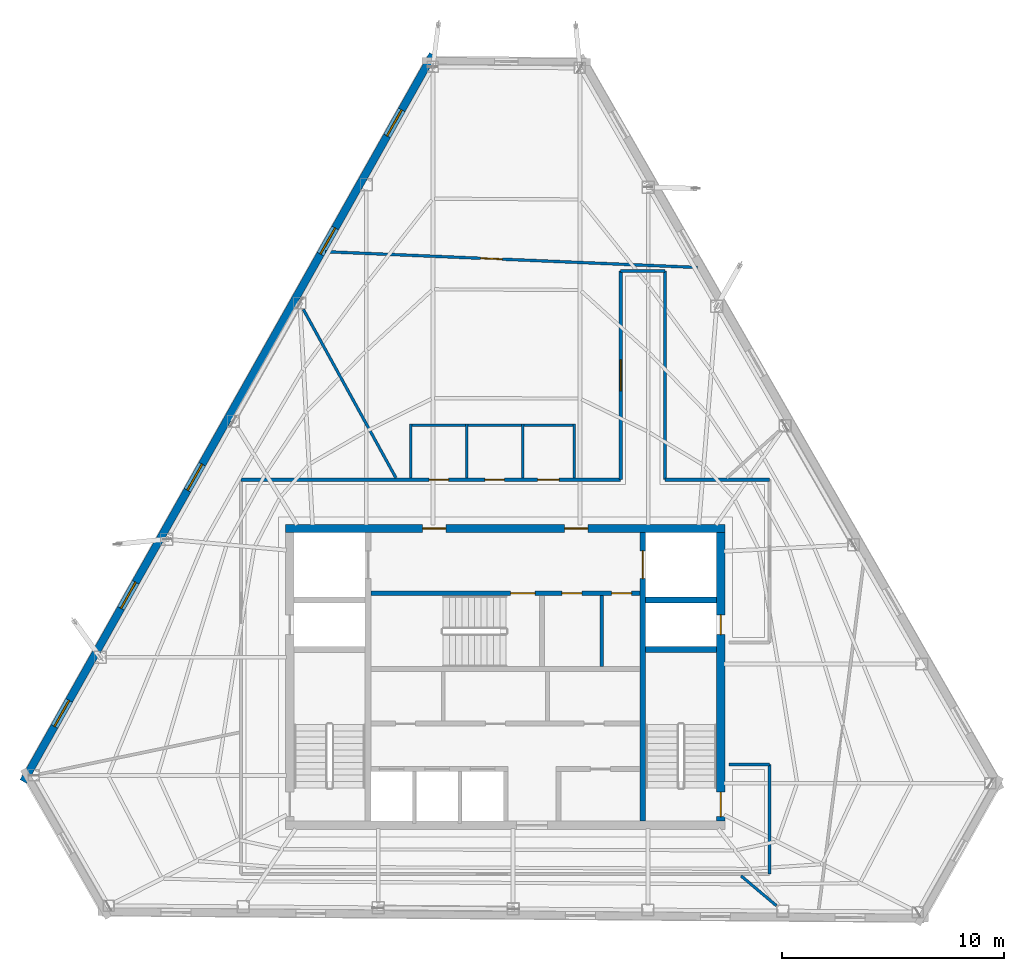
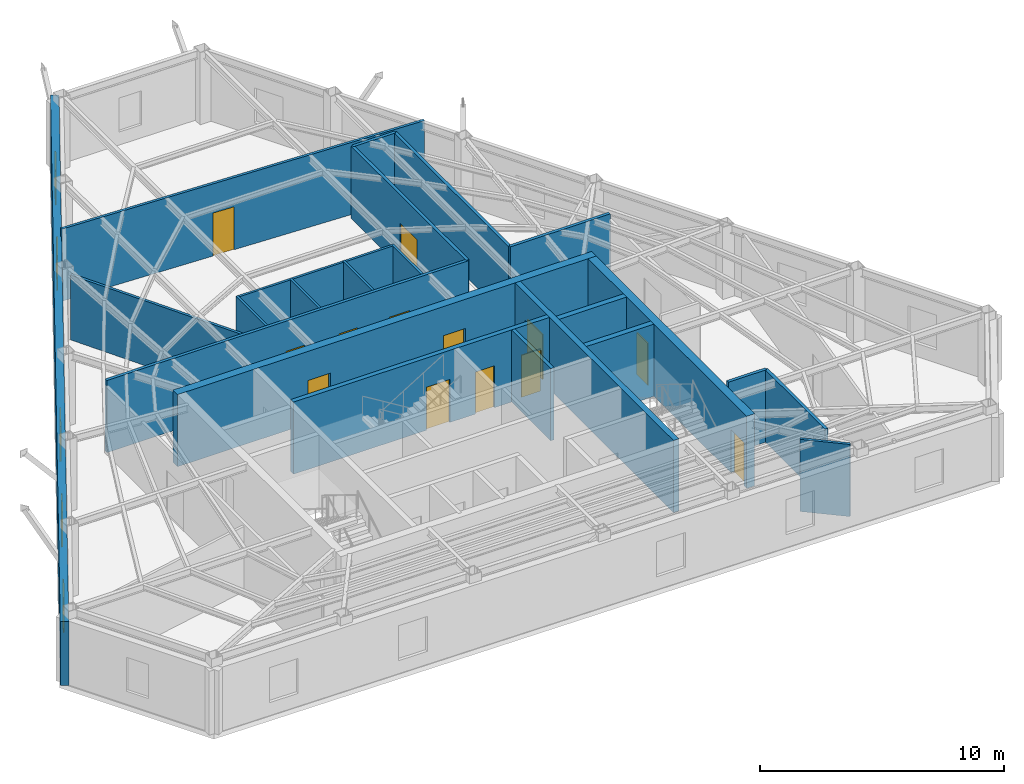
# One storey, part 8 of 10: 23 walls, 13 doors, 5 windows, 18 openings.
"""IFC4 building model written with IfcOpenShell, lengths in metres."""

from ifc_helpers import new_model, si_unit, direction, frame, frame_2d, origin, place, context, subcontext, project, spatial, rectangle, extrude, material, layer, layer_set, type_object, element, fill, save


model = new_model("IFC4")

# Units and contexts
model_context = context("Model", 3, precision=1e-05, world=origin(), true_north=direction((0.0, 1.0)))
body_context = subcontext(model_context, "Body", "Model", "MODEL_VIEW")
ifc_project = project(units=[si_unit("LENGTHUNIT", "METRE"), si_unit("AREAUNIT", "SQUARE_METRE"), si_unit("VOLUMEUNIT", "CUBIC_METRE"), si_unit("PLANEANGLEUNIT", "RADIAN"), si_unit("MASSUNIT", "GRAM", prefix="KILO")], contexts=[model_context])

# Site, building, storey
site_placement = place(None, origin())
site = spatial("IfcSite", under=ifc_project, at=site_placement, CompositionType="ELEMENT")
building_placement = place(site_placement, origin())
building = spatial("IfcBuilding", under=site, at=building_placement, Name="Kavelnor Concourse Tower", CompositionType="ELEMENT")
storey_placement = place(building_placement, frame((0.0, 0.0, 243.35009765625)))
storey = spatial("IfcBuildingStorey", under=building, at=storey_placement, Name="L61", CompositionType="ELEMENT", Elevation=243.35009765625)

# Wall, openings, doors
ifc_material_1 = material(Name="Concrete C50/60", Category="concrete")
ifc_layer_1 = layer(ifc_material_1, 0.3798828125, Name="Concrete C50/60")
ifc_layer_set_1 = layer_set([ifc_layer_1], Name="Concrete C50/60")
wall_type_1 = type_object("IfcWallType", Name="WL-CORE-Z4-380", PredefinedType="SOLIDWALL", material=ifc_layer_set_1)
wall_1_placement = place(storey_placement, frame((28.10009765625, 22.7900390625, 0.0), z_axis=(0.0, 0.0, 1.0), x_axis=(1.0, 0.0, 0.0)))
wall_1 = element("IfcWall", 1, at=wall_1_placement, inside=storey, type_object=wall_type_1, Name="L61 Central Core North Shear Wall", PredefinedType="SOLIDWALL", context=body_context, shape_type="SweptSolid", body=[
    extrude(rectangle(XDim=19.7998046875, YDim=0.3798828125, at=frame_2d((9.89990234375, 0.0))), origin(), (0.0, 0.0, 1.0), 3.60986328125),
])
opening_1_placement = place(wall_1_placement, frame((6.175048828125, 0.0, 0.0)))
opening_1 = element("IfcOpeningElement", 2, at=opening_1_placement, cuts=wall_1, Name="Opening FD-105", PredefinedType="OPENING", context=body_context, shape_type="SweptSolid", body=[
    extrude(rectangle(XDim=1.050048828125, YDim=2.14990234375, at=frame_2d((0.52490234375, 1.074951171875))), frame((0.0, 0.199951171875, 0.0), z_axis=(0.0, -1.0, 0.0), x_axis=(1.0, 0.0, 0.0)), (0.0, 0.0, 1.0), 0.39990234375),
])
opening_2_placement = place(wall_1_placement, frame((12.574951171875, 0.0, 0.0)))
opening_2 = element("IfcOpeningElement", 3, at=opening_2_placement, cuts=wall_1, Name="Opening FD-105", PredefinedType="OPENING", context=body_context, shape_type="SweptSolid", body=[
    extrude(rectangle(XDim=1.050048828125, YDim=2.14990234375, at=frame_2d((0.52490234375, 1.074951171875))), frame((0.0, 0.199951171875, 0.0), z_axis=(0.0, -1.0, 0.0), x_axis=(1.0, 0.0, 0.0)), (0.0, 0.0, 1.0), 0.39990234375),
])
ifc_material_2 = material(Name="Steel Grade 350", Category="steel")
door_type_1 = type_object("IfcDoorType", Name="DR-LOBBY-FIRE-1050", OperationType="NOTDEFINED", PredefinedType="DOOR", material=ifc_material_2)
door_1_placement = place(opening_1_placement, origin())
door_1 = element("IfcDoor", 4, at=door_1_placement, inside=storey, type_object=door_type_1, Name="L61 Emergency Lift Lobby West Door", OperationType="SINGLE_SWING_LEFT", OverallHeight=2.14990234375, OverallWidth=1.050048828125, PredefinedType="DOOR", context=body_context, shape_type="SweptSolid", body=[
    extrude(rectangle(XDim=1.050048828125, YDim=2.14990234375, at=frame_2d((0.52490234375, 1.074951171875))), frame((0.0, 0.02490234375, 0.0), z_axis=(0.0, -1.0, 0.0), x_axis=(1.0, 0.0, 0.0)), (0.0, 0.0, 1.0), 0.050048828125),
])
fill(opening_1, door_1)
door_2_placement = place(opening_2_placement, origin())
door_2 = element("IfcDoor", 5, at=door_2_placement, inside=storey, type_object=door_type_1, Name="L61 Emergency Lift Lobby East Door", OperationType="SINGLE_SWING_RIGHT", OverallHeight=2.14990234375, OverallWidth=1.050048828125, PredefinedType="DOOR", context=body_context, shape_type="SweptSolid", body=[
    extrude(rectangle(XDim=1.050048828125, YDim=2.14990234375, at=frame_2d((0.52490234375, 1.074951171875))), frame((0.0, 0.02490234375, 0.0), z_axis=(0.0, -1.0, 0.0), x_axis=(1.0, 0.0, 0.0)), (0.0, 0.0, 1.0), 0.050048828125),
])
fill(opening_2, door_2)

wall_2_placement = place(storey_placement, frame((47.7099609375, 9.60009765625, 0.0), z_axis=(0.0, 0.0, 1.0), x_axis=(0.0, 1.0, 0.0)))
wall_2 = element("IfcWall", 6, at=wall_2_placement, inside=storey, type_object=wall_type_1, Name="L61 Central Core East Shear Wall", PredefinedType="SOLIDWALL", context=body_context, shape_type="SweptSolid", body=[
    extrude(rectangle(XDim=13.0, YDim=0.3798828125, at=frame_2d((6.5, 0.0))), origin(), (0.0, 0.0, 1.0), 3.60986328125),
])
opening_3_placement = place(wall_2_placement, frame((0.199951171875, 0.0, 0.0)))
opening_3 = element("IfcOpeningElement", 7, at=opening_3_placement, cuts=wall_2, Name="Opening FD-110", PredefinedType="OPENING", context=body_context, shape_type="SweptSolid", body=[
    extrude(rectangle(XDim=1.10009765625, YDim=2.14990234375, at=frame_2d((0.550048828125, 1.074951171875))), frame((0.0, 0.199951171875, 0.0), z_axis=(0.0, -1.0, 0.0), x_axis=(1.0, 0.0, 0.0)), (0.0, 0.0, 1.0), 0.39990234375),
])
opening_4_placement = place(wall_2_placement, frame((8.39990234375, 0.0, 0.0)))
opening_4 = element("IfcOpeningElement", 8, at=opening_4_placement, cuts=wall_2, Name="Opening FD-090", PredefinedType="OPENING", context=body_context, shape_type="SweptSolid", body=[
    extrude(rectangle(XDim=0.89990234375, YDim=2.10009765625, at=frame_2d((0.449951171875, 1.050048828125))), frame((0.0, 0.199951171875, 0.0), z_axis=(0.0, -1.0, 0.0), x_axis=(1.0, 0.0, 0.0)), (0.0, 0.0, 1.0), 0.39990234375),
])
door_type_2 = type_object("IfcDoorType", Name="DR-RISER-FIRE-900", OperationType="NOTDEFINED", PredefinedType="DOOR", material=ifc_material_2)
door_3_placement = place(opening_4_placement, origin())
door_3 = element("IfcDoor", 9, at=door_3_placement, inside=storey, type_object=door_type_2, Name="L61 East Riser Access Door", OperationType="SINGLE_SWING_LEFT", OverallHeight=2.10009765625, OverallWidth=0.89990234375, PredefinedType="DOOR", context=body_context, shape_type="SweptSolid", body=[
    extrude(rectangle(XDim=0.89990234375, YDim=2.10009765625, at=frame_2d((0.449951171875, 1.050048828125))), frame((0.0, 0.02490234375, 0.0), z_axis=(0.0, -1.0, 0.0), x_axis=(1.0, 0.0, 0.0)), (0.0, 0.0, 1.0), 0.050048828125),
])
fill(opening_4, door_3)
door_type_3 = type_object("IfcDoorType", Name="DR-STAIR-FIRE-1100", OperationType="NOTDEFINED", PredefinedType="DOOR", material=ifc_material_2)
door_4_placement = place(opening_3_placement, origin())
door_4 = element("IfcDoor", 10, at=door_4_placement, inside=storey, type_object=door_type_3, Name="L61 Stair ST2 Fire Door", OperationType="SINGLE_SWING_RIGHT", OverallHeight=2.14990234375, OverallWidth=1.10009765625, PredefinedType="DOOR", context=body_context, shape_type="SweptSolid", body=[
    extrude(rectangle(XDim=1.10009765625, YDim=2.14990234375, at=frame_2d((0.550048828125, 1.074951171875))), frame((0.0, 0.02490234375, 0.0), z_axis=(0.0, -1.0, 0.0), x_axis=(1.0, 0.0, 0.0)), (0.0, 0.0, 1.0), 0.050048828125),
])
fill(opening_3, door_4)

# Wall, openings, windows
ifc_material_3 = material(Name="Red-ochre clay face brick masonry", Category="masonry")
ifc_layer_2 = layer(ifc_material_3, 0.35009765625, Name="Red-ochre clay face brick masonry")
ifc_layer_set_2 = layer_set([ifc_layer_2], Name="Red-ochre clay face brick masonry")
wall_type_2 = type_object("IfcWallType", Name="WL-EXT-RED-BRICK-PIER-350", PredefinedType="STANDARD", material=ifc_layer_set_2)
wall_3_placement = place(storey_placement, frame((16.274658203125, 11.37939453125, 0.0), z_axis=(0.0, 0.0, 1.0), x_axis=(0.490746172412, 0.871302584791, 0.0)))
wall_3 = element("IfcWall", 11, at=wall_3_placement, inside=storey, type_object=wall_type_2, Name="L61 Exterior Brick Facade Wall E1", PredefinedType="STANDARD", context=body_context, shape_type="SweptSolid", body=[
    extrude(rectangle(XDim=37.6171875, YDim=0.35009765625, at=frame_2d((18.80859375, 0.0))), origin(), (0.0, 0.0, 1.0), 3.19580078125),
])
opening_5_placement = place(wall_3_placement, frame((33.40380859375, 0.0, 0.64990234375)))
opening_5 = element("IfcOpeningElement", 12, at=opening_5_placement, cuts=wall_3, Name="Opening W-04", PredefinedType="OPENING", context=body_context, shape_type="SweptSolid", body=[
    extrude(rectangle(XDim=1.35009765625, YDim=1.75, at=frame_2d((0.675048828125, 0.875))), frame((0.0, 0.18505859375, 0.0), z_axis=(0.0, -1.0, 0.0), x_axis=(1.0, 0.0, 0.0)), (0.0, 0.0, 1.0), 0.3701171875),
])
opening_6_placement = place(wall_3_placement, frame((27.293701171875, 0.0, 0.64990234375)))
opening_6 = element("IfcOpeningElement", 13, at=opening_6_placement, cuts=wall_3, Name="Opening W-04", PredefinedType="OPENING", context=body_context, shape_type="SweptSolid", body=[
    extrude(rectangle(XDim=1.35009765625, YDim=1.75, at=frame_2d((0.675048828125, 0.875))), frame((0.0, 0.18505859375, 0.0), z_axis=(0.0, -1.0, 0.0), x_axis=(1.0, 0.0, 0.0)), (0.0, 0.0, 1.0), 0.3701171875),
])
opening_7_placement = place(wall_3_placement, frame((15.0732421875, 0.0, 0.64990234375)))
opening_7 = element("IfcOpeningElement", 14, at=opening_7_placement, cuts=wall_3, Name="Opening W-04", PredefinedType="OPENING", context=body_context, shape_type="SweptSolid", body=[
    extrude(rectangle(XDim=1.35009765625, YDim=1.75, at=frame_2d((0.675048828125, 0.875))), frame((0.0, 0.18505859375, 0.0), z_axis=(0.0, -1.0, 0.0), x_axis=(1.0, 0.0, 0.0)), (0.0, 0.0, 1.0), 0.3701171875),
])
opening_8_placement = place(wall_3_placement, frame((8.963134765625, 0.0, 0.64990234375)))
opening_8 = element("IfcOpeningElement", 15, at=opening_8_placement, cuts=wall_3, Name="Opening W-04", PredefinedType="OPENING", context=body_context, shape_type="SweptSolid", body=[
    extrude(rectangle(XDim=1.35009765625, YDim=1.75, at=frame_2d((0.675048828125, 0.875))), frame((0.0, 0.18505859375, 0.0), z_axis=(0.0, -1.0, 0.0), x_axis=(1.0, 0.0, 0.0)), (0.0, 0.0, 1.0), 0.3701171875),
])
opening_9_placement = place(wall_3_placement, frame((2.852783203125, 0.0, 0.64990234375)))
opening_9 = element("IfcOpeningElement", 16, at=opening_9_placement, cuts=wall_3, Name="Opening W-04", PredefinedType="OPENING", context=body_context, shape_type="SweptSolid", body=[
    extrude(rectangle(XDim=1.35009765625, YDim=1.75, at=frame_2d((0.675048828125, 0.875))), frame((0.0, 0.18505859375, 0.0), z_axis=(0.0, -1.0, 0.0), x_axis=(1.0, 0.0, 0.0)), (0.0, 0.0, 1.0), 0.3701171875),
])
ifc_material_4 = material(Name="Double low-E argon insulated glazing", Category="glass")
window_type = type_object("IfcWindowType", Name="WIN-PIER-Z4-1350", PartitioningType="SINGLE_PANEL", PredefinedType="WINDOW", material=ifc_material_4)
window_1_placement = place(opening_5_placement, origin())
window_1 = element("IfcWindow", 17, at=window_1_placement, inside=storey, type_object=window_type, Name="L61 Deep-Set Brick Pier Window F0-B0", OverallHeight=1.75, OverallWidth=1.35009765625, PartitioningType="SINGLE_PANEL", PredefinedType="WINDOW", context=body_context, shape_type="SweptSolid", body=[
    extrude(rectangle(XDim=1.35009765625, YDim=1.75, at=frame_2d((0.675048828125, 0.875))), frame((0.0, 0.030029296875, 0.0), z_axis=(0.0, -1.0, 0.0), x_axis=(1.0, 0.0, 0.0)), (0.0, 0.0, 1.0), 0.06005859375),
])
fill(opening_5, window_1)
window_2_placement = place(opening_6_placement, origin())
window_2 = element("IfcWindow", 18, at=window_2_placement, inside=storey, type_object=window_type, Name="L61 Deep-Set Brick Pier Window F0-B1", OverallHeight=1.75, OverallWidth=1.35009765625, PartitioningType="SINGLE_PANEL", PredefinedType="WINDOW", context=body_context, shape_type="SweptSolid", body=[
    extrude(rectangle(XDim=1.35009765625, YDim=1.75, at=frame_2d((0.675048828125, 0.875))), frame((0.0, 0.030029296875, 0.0), z_axis=(0.0, -1.0, 0.0), x_axis=(1.0, 0.0, 0.0)), (0.0, 0.0, 1.0), 0.06005859375),
])
fill(opening_6, window_2)
window_3_placement = place(opening_7_placement, origin())
window_3 = element("IfcWindow", 19, at=window_3_placement, inside=storey, type_object=window_type, Name="L61 Deep-Set Brick Pier Window F0-B3", OverallHeight=1.75, OverallWidth=1.35009765625, PartitioningType="SINGLE_PANEL", PredefinedType="WINDOW", context=body_context, shape_type="SweptSolid", body=[
    extrude(rectangle(XDim=1.35009765625, YDim=1.75, at=frame_2d((0.675048828125, 0.875))), frame((0.0, 0.030029296875, 0.0), z_axis=(0.0, -1.0, 0.0), x_axis=(1.0, 0.0, 0.0)), (0.0, 0.0, 1.0), 0.06005859375),
])
fill(opening_7, window_3)
window_4_placement = place(opening_8_placement, origin())
window_4 = element("IfcWindow", 20, at=window_4_placement, inside=storey, type_object=window_type, Name="L61 Deep-Set Brick Pier Window F0-B4", OverallHeight=1.75, OverallWidth=1.35009765625, PartitioningType="SINGLE_PANEL", PredefinedType="WINDOW", context=body_context, shape_type="SweptSolid", body=[
    extrude(rectangle(XDim=1.35009765625, YDim=1.75, at=frame_2d((0.675048828125, 0.875))), frame((0.0, 0.030029296875, 0.0), z_axis=(0.0, -1.0, 0.0), x_axis=(1.0, 0.0, 0.0)), (0.0, 0.0, 1.0), 0.06005859375),
])
fill(opening_8, window_4)
window_5_placement = place(opening_9_placement, origin())
window_5 = element("IfcWindow", 21, at=window_5_placement, inside=storey, type_object=window_type, Name="L61 Deep-Set Brick Pier Window F0-B5", OverallHeight=1.75, OverallWidth=1.35009765625, PartitioningType="SINGLE_PANEL", PredefinedType="WINDOW", context=body_context, shape_type="SweptSolid", body=[
    extrude(rectangle(XDim=1.35009765625, YDim=1.75, at=frame_2d((0.675048828125, 0.875))), frame((0.0, 0.030029296875, 0.0), z_axis=(0.0, -1.0, 0.0), x_axis=(1.0, 0.0, 0.0)), (0.0, 0.0, 1.0), 0.06005859375),
])
fill(opening_9, window_5)

# Wall, opening, door
ifc_material_5 = material(Name="Gypsum plasterboard on light-gauge steel studs", Category="steel")
ifc_layer_3 = layer(ifc_material_5, 0.14501953125, Name="Gypsum plasterboard on light-gauge steel studs")
ifc_layer_set_3 = layer_set([ifc_layer_3], Name="Gypsum plasterboard on light-gauge steel studs")
wall_type_3 = type_object("IfcWallType", Name="WL-INT-CORR-145", PredefinedType="PARTITIONING", material=ifc_layer_set_3)
wall_4_placement = place(storey_placement, frame((43.199951171875, 24.989990234375, 0.0), z_axis=(0.0, 0.0, 1.0), x_axis=(0.0, 1.0, 0.0)))
wall_4 = element("IfcWall", 22, at=wall_4_placement, inside=storey, type_object=wall_type_3, Name="L61 Corridor Wall WL-L61-CR-01", PredefinedType="PARTITIONING", context=body_context, shape_type="SweptSolid", body=[
    extrude(rectangle(XDim=9.409912109375, YDim=0.14501953125, at=frame_2d((4.705078125, 0.0))), origin(), (0.0, 0.0, 1.0), 3.60986328125),
])
opening_10_placement = place(wall_4_placement, frame((4.0048828125, 0.0, 0.0)))
opening_10 = element("IfcOpeningElement", 23, at=opening_10_placement, cuts=wall_4, Name="Opening SD-140", PredefinedType="OPENING", context=body_context, shape_type="SweptSolid", body=[
    extrude(rectangle(XDim=1.39990234375, YDim=2.199951171875, at=frame_2d((0.699951171875, 1.10009765625))), frame((0.0, 0.08251953125, 0.0), z_axis=(0.0, -1.0, 0.0), x_axis=(1.0, 0.0, 0.0)), (0.0, 0.0, 1.0), 0.1650390625),
])
ifc_material_6 = material(Name="Solid-core hardwood timber", Category="wood")
door_type_4 = type_object("IfcDoorType", Name="DR-SUITE-ENTRY-1400", OperationType="NOTDEFINED", PredefinedType="DOOR", material=ifc_material_6)
door_5_placement = place(opening_10_placement, origin())
door_5 = element("IfcDoor", 24, at=door_5_placement, inside=storey, type_object=door_type_4, Name="L61 Executive Dining Room 01 Door", OperationType="SINGLE_SWING_LEFT", OverallHeight=2.199951171875, OverallWidth=1.39990234375, PredefinedType="DOOR", context=body_context, shape_type="SweptSolid", body=[
    extrude(rectangle(XDim=1.39990234375, YDim=2.199951171875, at=frame_2d((0.699951171875, 1.10009765625))), frame((0.0, 0.02490234375, 0.0), z_axis=(0.0, -1.0, 0.0), x_axis=(1.0, 0.0, 0.0)), (0.0, 0.0, 1.0), 0.050048828125),
])
fill(opening_10, door_5)

# Walls
wall_5_placement = place(storey_placement, frame((43.199951171875, 34.39990234375, 0.0), z_axis=(0.0, 0.0, 1.0), x_axis=(1.0, 0.0, 0.0)))
element("IfcWall", 25, at=wall_5_placement, inside=storey, type_object=wall_type_3, Name="L61 Corridor Wall WL-L61-CR-02", PredefinedType="PARTITIONING", context=body_context, shape_type="SweptSolid", body=[
    extrude(rectangle(XDim=2.0, YDim=0.14501953125, at=frame_2d((1.0, 0.0))), origin(), (0.0, 0.0, 1.0), 3.60986328125),
])
wall_6_placement = place(storey_placement, frame((45.199951171875, 34.39990234375, 0.0), z_axis=(0.0, 0.0, 1.0), x_axis=(0.0, -1.0, 0.0)))
element("IfcWall", 26, at=wall_6_placement, inside=storey, type_object=wall_type_3, Name="L61 Corridor Wall WL-L61-CR-03", PredefinedType="PARTITIONING", context=body_context, shape_type="SweptSolid", body=[
    extrude(rectangle(XDim=9.409912109375, YDim=0.14501953125, at=frame_2d((4.705078125, 0.0))), origin(), (0.0, 0.0, 1.0), 3.60986328125),
])
wall_7_placement = place(storey_placement, frame((45.199951171875, 24.989990234375, 0.0), z_axis=(0.0, 0.0, 1.0), x_axis=(1.0, 0.0, 0.0)))
element("IfcWall", 27, at=wall_7_placement, inside=storey, type_object=wall_type_3, Name="L61 Corridor Wall WL-L61-CR-04", PredefinedType="PARTITIONING", context=body_context, shape_type="SweptSolid", body=[
    extrude(rectangle(XDim=4.7099609375, YDim=0.14501953125, at=frame_2d((2.35498046875, 0.0))), origin(), (0.0, 0.0, 1.0), 3.60986328125),
])
wall_8_placement = place(storey_placement, frame((48.090087890625, 12.14990234375, 0.0), z_axis=(0.0, 0.0, 1.0), x_axis=(1.0, 0.0, 0.0)))
element("IfcWall", 28, at=wall_8_placement, inside=storey, type_object=wall_type_3, Name="L61 Corridor Wall WL-L61-CR-07", PredefinedType="PARTITIONING", context=body_context, shape_type="SweptSolid", body=[
    extrude(rectangle(XDim=1.81982421875, YDim=0.14501953125, at=frame_2d((0.909912109375, 0.0))), origin(), (0.0, 0.0, 1.0), 3.60986328125),
])
wall_9_placement = place(storey_placement, frame((49.909912109375, 12.14990234375, 0.0), z_axis=(0.0, 0.0, 1.0), x_axis=(0.0, -1.0, 0.0)))
element("IfcWall", 29, at=wall_9_placement, inside=storey, type_object=wall_type_3, Name="L61 Corridor Wall WL-L61-CR-08", PredefinedType="PARTITIONING", context=body_context, shape_type="SweptSolid", body=[
    extrude(rectangle(XDim=4.93994140625, YDim=0.14501953125, at=frame_2d((2.469970703125, 0.0))), origin(), (0.0, 0.0, 1.0), 3.60986328125),
])

# Wall, openings, doors
wall_10_placement = place(storey_placement, frame((26.090087890625, 24.989990234375, 0.0), z_axis=(0.0, 0.0, 1.0), x_axis=(1.0, 0.0, 0.0)))
wall_10 = element("IfcWall", 30, at=wall_10_placement, inside=storey, type_object=wall_type_3, Name="L61 Corridor Wall WL-L61-CR-11", PredefinedType="PARTITIONING", context=body_context, shape_type="SweptSolid", body=[
    extrude(rectangle(XDim=17.10986328125, YDim=0.14501953125, at=frame_2d((8.554931640625, 0.0))), origin(), (0.0, 0.0, 1.0), 3.60986328125),
])
opening_11_placement = place(wall_10_placement, frame((8.469970703125, 0.0, 0.0)))
opening_11 = element("IfcOpeningElement", 31, at=opening_11_placement, cuts=wall_10, Name="Opening WD-088", PredefinedType="OPENING", context=body_context, shape_type="SweptSolid", body=[
    extrude(rectangle(XDim=0.8798828125, YDim=2.10009765625, at=frame_2d((0.43994140625, 1.050048828125))), frame((0.0, 0.08251953125, 0.0), z_axis=(0.0, -1.0, 0.0), x_axis=(1.0, 0.0, 0.0)), (0.0, 0.0, 1.0), 0.1650390625),
])
opening_12_placement = place(wall_10_placement, frame((10.989990234375, 0.0, 0.0)))
opening_12 = element("IfcOpeningElement", 32, at=opening_12_placement, cuts=wall_10, Name="Opening WD-088", PredefinedType="OPENING", context=body_context, shape_type="SweptSolid", body=[
    extrude(rectangle(XDim=0.8798828125, YDim=2.10009765625, at=frame_2d((0.43994140625, 1.050048828125))), frame((0.0, 0.08251953125, 0.0), z_axis=(0.0, -1.0, 0.0), x_axis=(1.0, 0.0, 0.0)), (0.0, 0.0, 1.0), 0.1650390625),
])
opening_13_placement = place(wall_10_placement, frame((13.3701171875, 0.0, 0.0)))
opening_13 = element("IfcOpeningElement", 33, at=opening_13_placement, cuts=wall_10, Name="Opening WD-096", PredefinedType="OPENING", context=body_context, shape_type="SweptSolid", body=[
    extrude(rectangle(XDim=0.9599609375, YDim=2.10009765625, at=frame_2d((0.47998046875, 1.050048828125))), frame((0.0, 0.08251953125, 0.0), z_axis=(0.0, -1.0, 0.0), x_axis=(1.0, 0.0, 0.0)), (0.0, 0.0, 1.0), 0.1650390625),
])
door_type_5 = type_object("IfcDoorType", Name="DR-WC-ACC-960", OperationType="NOTDEFINED", PredefinedType="DOOR", material=ifc_material_6)
door_6_placement = place(opening_13_placement, origin())
door_6 = element("IfcDoor", 34, at=door_6_placement, inside=storey, type_object=door_type_5, Name="L61 Accessible WC Door", OperationType="SINGLE_SWING_RIGHT", OverallHeight=2.10009765625, OverallWidth=0.9599609375, PredefinedType="DOOR", context=body_context, shape_type="SweptSolid", body=[
    extrude(rectangle(XDim=0.9599609375, YDim=2.10009765625, at=frame_2d((0.47998046875, 1.050048828125))), frame((0.0, 0.02490234375, 0.0), z_axis=(0.0, -1.0, 0.0), x_axis=(1.0, 0.0, 0.0)), (0.0, 0.0, 1.0), 0.050048828125),
])
fill(opening_13, door_6)
door_type_6 = type_object("IfcDoorType", Name="DR-WC-STD-880", OperationType="NOTDEFINED", PredefinedType="DOOR", material=ifc_material_6)
door_7_placement = place(opening_11_placement, origin())
door_7 = element("IfcDoor", 35, at=door_7_placement, inside=storey, type_object=door_type_6, Name="L61 Male WC Door", OperationType="SINGLE_SWING_RIGHT", OverallHeight=2.10009765625, OverallWidth=0.8798828125, PredefinedType="DOOR", context=body_context, shape_type="SweptSolid", body=[
    extrude(rectangle(XDim=0.8798828125, YDim=2.10009765625, at=frame_2d((0.43994140625, 1.050048828125))), frame((0.0, 0.02490234375, 0.0), z_axis=(0.0, -1.0, 0.0), x_axis=(1.0, 0.0, 0.0)), (0.0, 0.0, 1.0), 0.050048828125),
])
fill(opening_11, door_7)
door_8_placement = place(opening_12_placement, origin())
door_8 = element("IfcDoor", 36, at=door_8_placement, inside=storey, type_object=door_type_6, Name="L61 Female WC Door", OperationType="SINGLE_SWING_LEFT", OverallHeight=2.10009765625, OverallWidth=0.8798828125, PredefinedType="DOOR", context=body_context, shape_type="SweptSolid", body=[
    extrude(rectangle(XDim=0.8798828125, YDim=2.10009765625, at=frame_2d((0.43994140625, 1.050048828125))), frame((0.0, 0.02490234375, 0.0), z_axis=(0.0, -1.0, 0.0), x_axis=(1.0, 0.0, 0.0)), (0.0, 0.0, 1.0), 0.050048828125),
])
fill(opening_12, door_8)

# Walls
ifc_layer_4 = layer(ifc_material_5, 0.1650390625, Name="Gypsum plasterboard on light-gauge steel studs")
ifc_layer_set_4 = layer_set([ifc_layer_4], Name="Gypsum plasterboard on light-gauge steel studs")
wall_type_4 = type_object("IfcWallType", Name="WL-INT-FIRE-165", PredefinedType="PARTITIONING", material=ifc_layer_set_4)
wall_11_placement = place(storey_placement, frame((42.35009765625, 16.56005859375, 0.0), z_axis=(0.0, 0.0, 1.0), x_axis=(0.0, 1.0, 0.0)))
element("IfcWall", 37, at=wall_11_placement, inside=storey, type_object=wall_type_4, Name="L61 Core Support Asymmetric Divider", PredefinedType="PARTITIONING", context=body_context, shape_type="SweptSolid", body=[
    extrude(rectangle(XDim=3.199951171875, YDim=0.1650390625, at=frame_2d((1.60009765625, 0.0))), origin(), (0.0, 0.0, 1.0), 3.60986328125),
])
ifc_layer_5 = layer(ifc_material_5, 0.125, Name="Gypsum plasterboard on light-gauge steel studs")
ifc_layer_set_5 = layer_set([ifc_layer_5], Name="Gypsum plasterboard on light-gauge steel studs")
wall_type_5 = type_object("IfcWallType", Name="WL-INT-SUITE-125", PredefinedType="PARTITIONING", material=ifc_layer_set_5)
wall_12_placement = place(storey_placement, frame((33.0693359375, 25.070556640625, 0.0), z_axis=(0.0, 0.0, 1.0), x_axis=(-0.481689502038, 0.876341955875, 0.0)))
element("IfcWall", 38, at=wall_12_placement, inside=storey, type_object=wall_type_5, Name="L61 Radial Suite Partition 02", PredefinedType="PARTITIONING", context=body_context, shape_type="SweptSolid", body=[
    extrude(rectangle(XDim=8.66748046875, YDim=0.125, at=frame_2d((4.333740234375, 0.0))), origin(), (0.0, 0.0, 1.0), 3.245849609375),
])
wall_13_placement = place(storey_placement, frame((48.627685546875, 7.12939453125, 0.0), z_axis=(0.0, 0.0, 1.0), x_axis=(0.764226447887, -0.644948010579, 0.0)))
element("IfcWall", 39, at=wall_13_placement, inside=storey, type_object=wall_type_5, Name="L61 Radial Suite Partition 04", PredefinedType="PARTITIONING", context=body_context, shape_type="SweptSolid", body=[
    extrude(rectangle(XDim=2.08154296875, YDim=0.125, at=frame_2d((1.040771484375, 0.0))), origin(), (0.0, 0.0, 1.0), 3.60986328125),
])

# Wall, opening, door
wall_14_placement = place(storey_placement, frame((46.662109375, 34.555419921875, 0.0), z_axis=(0.0, 0.0, 1.0), x_axis=(-0.999101054497, 0.04239201462, 0.0)))
wall_14 = element("IfcWall", 40, at=wall_14_placement, inside=storey, type_object=wall_type_5, Name="L61 Suite Subdivision Partition 01", PredefinedType="PARTITIONING", context=body_context, shape_type="SweptSolid", body=[
    extrude(rectangle(XDim=16.7763671875, YDim=0.125, at=frame_2d((8.38818359375, 0.0))), origin(), (0.0, 0.0, 1.0), 3.60986328125),
])
opening_14_placement = place(wall_14_placement, frame((8.806640625, 0.0, 0.0)))
opening_14 = element("IfcOpeningElement", 41, at=opening_14_placement, cuts=wall_14, Name="Opening OD-098", PredefinedType="OPENING", context=body_context, shape_type="SweptSolid", body=[
    extrude(rectangle(XDim=0.97998046875, YDim=2.14990234375, at=frame_2d((0.489990234375, 1.074951171875))), frame((0.0, 0.072509765625, 0.0), z_axis=(0.0, -1.0, 0.0), x_axis=(1.0, 0.0, 0.0)), (0.0, 0.0, 1.0), 0.14501953125),
])
door_type_7 = type_object("IfcDoorType", Name="DR-OFFICE-980", OperationType="NOTDEFINED", PredefinedType="DOOR", material=ifc_material_6)
door_9_placement = place(opening_14_placement, origin())
door_9 = element("IfcDoor", 42, at=door_9_placement, inside=storey, type_object=door_type_7, Name="L61 Workplace Open Office 02 Door", OperationType="SINGLE_SWING_RIGHT", OverallHeight=2.14990234375, OverallWidth=0.97998046875, PredefinedType="DOOR", context=body_context, shape_type="SweptSolid", body=[
    extrude(rectangle(XDim=0.97998046875, YDim=2.14990234375, at=frame_2d((0.489990234375, 1.074951171875))), frame((0.0, 0.02490234375, 0.0), z_axis=(0.0, -1.0, 0.0), x_axis=(1.0, 0.0, 0.0)), (0.0, 0.0, 1.0), 0.050048828125),
])
fill(opening_14, door_9)

# Walls
ifc_layer_6 = layer(ifc_material_5, 0.110107421875, Name="Gypsum plasterboard on light-gauge steel studs")
ifc_layer_set_6 = layer_set([ifc_layer_6], Name="Gypsum plasterboard on light-gauge steel studs")
wall_type_6 = type_object("IfcWallType", Name="WL-INT-WC-110", PredefinedType="PLUMBINGWALL", material=ifc_layer_set_6)
for number, where, z_axis, x_axis, name in (
    (43, (33.739990234375, 25.06005859375, 0.0), (0.0, 0.0, 1.0), (0.0, 1.0, 0.0), "L61 Sanitary Partition WL-L61-WC-W"),
    (44, (36.260009765625, 25.06005859375, 0.0), (0.0, 0.0, 1.0), (0.0, 1.0, 0.0), "L61 Sanitary Partition WL-L61-WC-D1"),
    (45, (38.780029296875, 25.06005859375, 0.0), (0.0, 0.0, 1.0), (0.0, 1.0, 0.0), "L61 Sanitary Partition WL-L61-WC-D2"),
    (46, (41.10009765625, 25.06005859375, 0.0), (0.0, 0.0, 1.0), (0.0, 1.0, 0.0), "L61 Sanitary Partition WL-L61-WC-E"),
):
    element("IfcWall", number, at=place(storey_placement, frame(where, z_axis=z_axis, x_axis=x_axis)), inside=storey, type_object=wall_type_6, Name=name, PredefinedType="PLUMBINGWALL", context=body_context, shape_type="SweptSolid", body=[
        extrude(rectangle(XDim=2.43994140625, YDim=0.110107421875, at=frame_2d((1.219970703125, 0.0))), origin(), (0.0, 0.0, 1.0), 3.60986328125),
    ])
wall_15_placement = place(storey_placement, frame((33.68994140625, 27.43994140625, 0.0), z_axis=(0.0, 0.0, 1.0), x_axis=(1.0, 0.0, 0.0)))
element("IfcWall", 47, at=wall_15_placement, inside=storey, type_object=wall_type_6, Name="L61 Sanitary Partition WL-L61-WC-N", PredefinedType="PLUMBINGWALL", context=body_context, shape_type="SweptSolid", body=[
    extrude(rectangle(XDim=7.4599609375, YDim=0.110107421875, at=frame_2d((3.72998046875, 0.0))), origin(), (0.0, 0.0, 1.0), 3.60986328125),
])

# Wall, openings, doors
ifc_layer_7 = layer(ifc_material_1, 0.219970703125, Name="Concrete C50/60")
ifc_layer_set_7 = layer_set([ifc_layer_7], Name="Concrete C50/60")
wall_type_7 = type_object("IfcWallType", Name="WL-SHAFT-220", PredefinedType="SOLIDWALL", material=ifc_layer_set_7)
wall_16_placement = place(storey_placement, frame((31.93994140625, 19.8701171875, 0.0), z_axis=(0.0, 0.0, 1.0), x_axis=(1.0, 0.0, 0.0)))
wall_16 = element("IfcWall", 48, at=wall_16_placement, inside=storey, type_object=wall_type_7, Name="L61 Emergency Lift Lobby South Wall", PredefinedType="SOLIDWALL", context=body_context, shape_type="SweptSolid", body=[
    extrude(rectangle(XDim=12.1201171875, YDim=0.219970703125, at=frame_2d((6.06005859375, 0.0))), origin(), (0.0, 0.0, 1.0), 3.60986328125),
])
opening_15_placement = place(wall_16_placement, frame((6.300048828125, 0.0, 0.0)))
opening_15 = element("IfcOpeningElement", 49, at=opening_15_placement, cuts=wall_16, Name="Opening FD-110", PredefinedType="OPENING", context=body_context, shape_type="SweptSolid", body=[
    extrude(rectangle(XDim=1.10009765625, YDim=2.14990234375, at=frame_2d((0.550048828125, 1.074951171875))), frame((0.0, 0.1201171875, 0.0), z_axis=(0.0, -1.0, 0.0), x_axis=(1.0, 0.0, 0.0)), (0.0, 0.0, 1.0), 0.239990234375),
])
opening_16_placement = place(wall_16_placement, frame((8.610107421875, 0.0, 0.0)))
opening_16 = element("IfcOpeningElement", 50, at=opening_16_placement, cuts=wall_16, Name="Opening FD-090", PredefinedType="OPENING", context=body_context, shape_type="SweptSolid", body=[
    extrude(rectangle(XDim=0.89990234375, YDim=2.10009765625, at=frame_2d((0.449951171875, 1.050048828125))), frame((0.0, 0.1201171875, 0.0), z_axis=(0.0, -1.0, 0.0), x_axis=(1.0, 0.0, 0.0)), (0.0, 0.0, 1.0), 0.239990234375),
])
opening_17_placement = place(wall_16_placement, frame((10.85009765625, 0.0, 0.0)))
opening_17 = element("IfcOpeningElement", 51, at=opening_17_placement, cuts=wall_16, Name="Opening FD-090", PredefinedType="OPENING", context=body_context, shape_type="SweptSolid", body=[
    extrude(rectangle(XDim=0.89990234375, YDim=2.10009765625, at=frame_2d((0.449951171875, 1.050048828125))), frame((0.0, 0.1201171875, 0.0), z_axis=(0.0, -1.0, 0.0), x_axis=(1.0, 0.0, 0.0)), (0.0, 0.0, 1.0), 0.239990234375),
])
door_10_placement = place(opening_16_placement, origin())
door_10 = element("IfcDoor", 52, at=door_10_placement, inside=storey, type_object=door_type_2, Name="L61 Electrical Room Door", OperationType="SINGLE_SWING_LEFT", OverallHeight=2.10009765625, OverallWidth=0.89990234375, PredefinedType="DOOR", context=body_context, shape_type="SweptSolid", body=[
    extrude(rectangle(XDim=0.89990234375, YDim=2.10009765625, at=frame_2d((0.449951171875, 1.050048828125))), frame((0.0, 0.02490234375, 0.0), z_axis=(0.0, -1.0, 0.0), x_axis=(1.0, 0.0, 0.0)), (0.0, 0.0, 1.0), 0.050048828125),
])
fill(opening_16, door_10)
door_11_placement = place(opening_17_placement, origin())
door_11 = element("IfcDoor", 53, at=door_11_placement, inside=storey, type_object=door_type_2, Name="L61 Cleaner Store Door", OperationType="SINGLE_SWING_RIGHT", OverallHeight=2.10009765625, OverallWidth=0.89990234375, PredefinedType="DOOR", context=body_context, shape_type="SweptSolid", body=[
    extrude(rectangle(XDim=0.89990234375, YDim=2.10009765625, at=frame_2d((0.449951171875, 1.050048828125))), frame((0.0, 0.02490234375, 0.0), z_axis=(0.0, -1.0, 0.0), x_axis=(1.0, 0.0, 0.0)), (0.0, 0.0, 1.0), 0.050048828125),
])
fill(opening_17, door_11)
door_12_placement = place(opening_15_placement, origin())
door_12 = element("IfcDoor", 54, at=door_12_placement, inside=storey, type_object=door_type_3, Name="L61 Stair ST3 Fire Door", OperationType="SINGLE_SWING_LEFT", OverallHeight=2.14990234375, OverallWidth=1.10009765625, PredefinedType="DOOR", context=body_context, shape_type="SweptSolid", body=[
    extrude(rectangle(XDim=1.10009765625, YDim=2.14990234375, at=frame_2d((0.550048828125, 1.074951171875))), frame((0.0, 0.02490234375, 0.0), z_axis=(0.0, -1.0, 0.0), x_axis=(1.0, 0.0, 0.0)), (0.0, 0.0, 1.0), 0.050048828125),
])
fill(opening_15, door_12)

# Wall, opening, door
ifc_layer_8 = layer(ifc_material_1, 0.260009765625, Name="Concrete C50/60")
ifc_layer_set_8 = layer_set([ifc_layer_8], Name="Concrete C50/60")
wall_type_8 = type_object("IfcWallType", Name="WL-SHAFT-260", PredefinedType="SHEAR", material=ifc_layer_set_8)
wall_17_placement = place(storey_placement, frame((44.18994140625, 9.60009765625, 0.0), z_axis=(0.0, 0.0, 1.0), x_axis=(0.0, 1.0, 0.0)))
wall_17 = element("IfcWall", 55, at=wall_17_placement, inside=storey, type_object=wall_type_8, Name="L61 Core East Wing Shear Wall", PredefinedType="SHEAR", context=body_context, shape_type="SweptSolid", body=[
    extrude(rectangle(XDim=13.0, YDim=0.260009765625, at=frame_2d((6.5, 0.0))), origin(), (0.0, 0.0, 1.0), 3.60986328125),
])
opening_18_placement = place(wall_17_placement, frame((10.925048828125, 0.0, 0.0)))
opening_18 = element("IfcOpeningElement", 56, at=opening_18_placement, cuts=wall_17, Name="Opening LD-125", PredefinedType="OPENING", context=body_context, shape_type="SweptSolid", body=[
    extrude(rectangle(XDim=1.25, YDim=2.25, at=frame_2d((0.625, 1.125))), frame((0.0, 0.14013671875, 0.0), z_axis=(0.0, -1.0, 0.0), x_axis=(1.0, 0.0, 0.0)), (0.0, 0.0, 1.0), 0.280029296875),
])
door_type_8 = type_object("IfcDoorType", Name="DR-LIFT-SLIDING-1250", OperationType="NOTDEFINED", PredefinedType="DOOR", material=ifc_material_2)
door_13_placement = place(opening_18_placement, origin())
door_13 = element("IfcDoor", 57, at=door_13_placement, inside=storey, type_object=door_type_8, Name="L61 Emergency Lift FL2 Landing Door", OperationType="DOUBLE_DOOR_SLIDING", OverallHeight=2.25, OverallWidth=1.25, PredefinedType="DOOR", context=body_context, shape_type="SweptSolid", body=[
    extrude(rectangle(XDim=1.25, YDim=2.25, at=frame_2d((0.625, 1.125))), frame((0.0, 0.02490234375, 0.0), z_axis=(0.0, -1.0, 0.0), x_axis=(1.0, 0.0, 0.0)), (0.0, 0.0, 1.0), 0.050048828125),
])
fill(opening_18, door_13)

# Walls
for number, where, z_axis, x_axis, name in (
    (58, (44.320068359375, 17.330078125, 0.0), (0.0, 0.0, 1.0), (1.0, 0.0, 0.0), "L61 Stair ST2 North Shaft Wall"),
    (59, (44.320068359375, 19.570068359375, 0.0), (0.0, 0.0, 1.0), (1.0, 0.0, 0.0), "L61 Emergency Lift FL2 South Shaft Wall"),
):
    element("IfcWall", number, at=place(storey_placement, frame(where, z_axis=z_axis, x_axis=x_axis)), inside=storey, type_object=wall_type_8, Name=name, PredefinedType="SHEAR", context=body_context, shape_type="SweptSolid", body=[
        extrude(rectangle(XDim=3.199951171875, YDim=0.260009765625, at=frame_2d((1.60009765625, 0.0))), origin(), (0.0, 0.0, 1.0), 3.60986328125),
    ])

save(model, "model.ifc")
